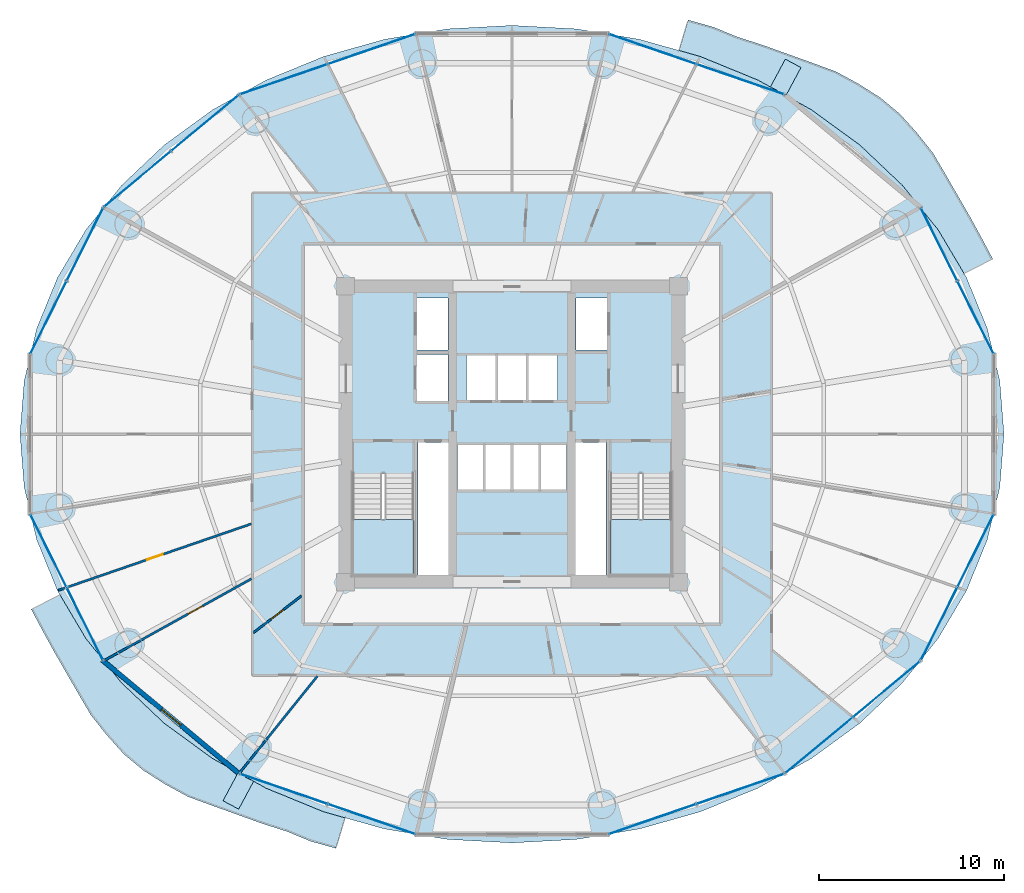
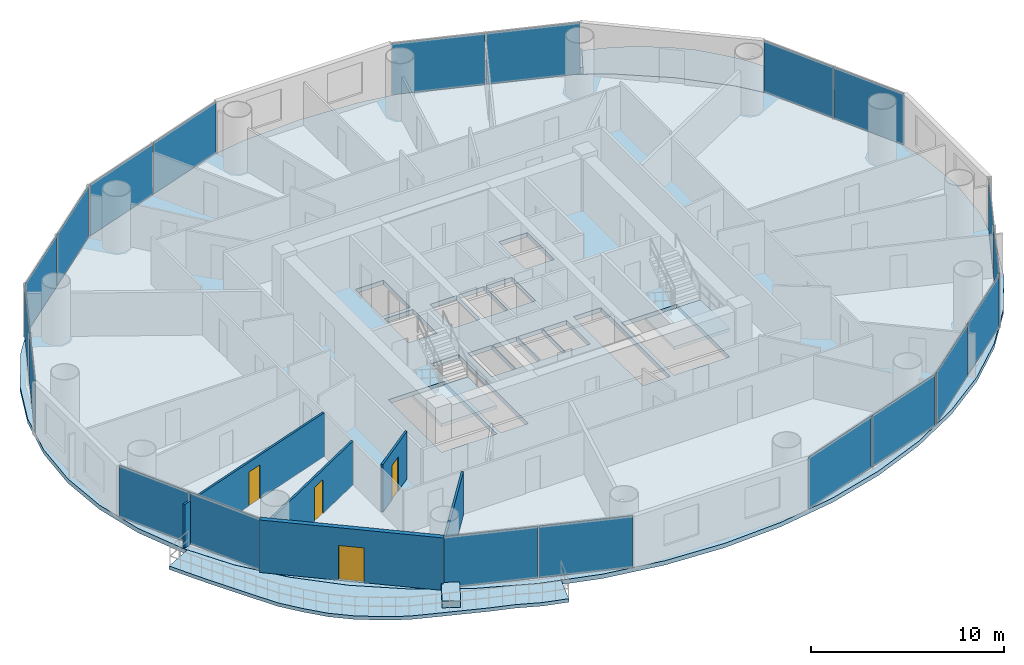
# One storey, part 21 of 29: 20 plates, 7 slabs, 5 walls, 4 doors, 4 openings, 12 elements without a shape of their own.
"""IFC4 building model written with IfcOpenShell, lengths in metres."""

from ifc_helpers import new_model, si_unit, direction, frame, frame_2d, origin, origin_2d, place, context, subcontext, project, spatial, polyline, rectangle, outline, extrude, source, transform, mapped, material, layer, layer_set, type_object, element, fill, aggregate, save


model = new_model("IFC4")

# Units and contexts
model_context = context("Model", 3, precision=1e-05, world=origin(), true_north=direction((-0.2419218956, 0.970295726276)))
body_context = subcontext(model_context, "Body", "Model", "MODEL_VIEW")
ifc_project = project(units=[si_unit("LENGTHUNIT", "METRE"), si_unit("AREAUNIT", "SQUARE_METRE"), si_unit("VOLUMEUNIT", "CUBIC_METRE"), si_unit("PLANEANGLEUNIT", "RADIAN"), si_unit("MASSUNIT", "GRAM", prefix="KILO")], contexts=[model_context])

# Site, building, storey
site_placement = place(None, origin())
site = spatial("IfcSite", under=ifc_project, at=site_placement, CompositionType="ELEMENT")
building_placement = place(site_placement, origin())
building = spatial("IfcBuilding", under=site, at=building_placement, Name="Cobrevalo Terracotta Tower", CompositionType="ELEMENT")
storey_placement = place(building_placement, frame((0.0, 0.0, 94.199951171875)))
storey = spatial("IfcBuildingStorey", under=building, at=storey_placement, Name="L24", CompositionType="ELEMENT", Elevation=94.199951171875)

# Stair, slab
ifc_material_1 = material(Name="Concrete C50", Category="concrete")
stair_type = type_object("IfcStairType", Name="Core protected escape dogleg stair 1600", PredefinedType="HALF_TURN_STAIR", material=ifc_material_1)
stair_1_placement = place(storey_placement, origin())
stair_1 = element("IfcStair", 1, at=stair_1_placement, inside=storey, type_object=stair_type, Name="L24 Protected exit stair ST-1", PredefinedType="HALF_TURN_STAIR")
ifc_layer_1 = layer(ifc_material_1, 0.199951171875)
ifc_layer_set_1 = layer_set([ifc_layer_1], Name="Concrete C50")
slab_type_1 = type_object("IfcSlabType", Name="Reinforced Concrete Stair Landing 200", PredefinedType="LANDING", material=ifc_layer_set_1)
slab_1_placement = place(storey_placement, frame((0.0, 0.0, 1.60009765625)))
slab_1 = element("IfcSlab", 2, at=slab_1_placement, type_object=slab_type_1, Name="ST-1 landing 1", PredefinedType="LANDING", context=body_context, shape_type="SweptSolid", body=[
    extrude(outline(polyline([(29.375, 22.179931640625), (29.375, 19.175048828125), (32.695068359375, 19.175048828125), (32.695068359375, 22.179931640625), (29.375, 22.179931640625)])), origin(), (0.0, 0.0, 1.0), 0.199951171875),
])
aggregate(stair_1, [slab_1])

stair_2_placement = place(storey_placement, origin())
stair_2 = element("IfcStair", 3, at=stair_2_placement, inside=storey, type_object=stair_type, Name="L24 Protected exit stair ST-2", PredefinedType="HALF_TURN_STAIR")
slab_2_placement = place(storey_placement, frame((0.0, 0.0, 1.60009765625)))
slab_2 = element("IfcSlab", 4, at=slab_2_placement, type_object=slab_type_1, Name="ST-2 landing 1", PredefinedType="LANDING", context=body_context, shape_type="SweptSolid", body=[
    extrude(outline(polyline([(43.304931640625, 22.179931640625), (43.304931640625, 19.175048828125), (46.625, 19.175048828125), (46.625, 22.179931640625), (43.304931640625, 22.179931640625)])), origin(), (0.0, 0.0, 1.0), 0.199951171875),
])
aggregate(stair_2, [slab_2])

# Slabs
ifc_material_2 = material(Name="Concrete C45", Category="concrete")
ifc_layer_2 = layer(ifc_material_2, 0.219970703125)
ifc_layer_set_2 = layer_set([ifc_layer_2], Name="Concrete C45")
slab_type_2 = type_object("IfcSlabType", Name="Spiralling cantilevered balcony lobe slab 220 mm", PredefinedType="FLOOR", material=ifc_layer_set_2)
slab_3_placement = place(storey_placement, frame((0.0, 0.0, -0.219970703125)))
element("IfcSlab", 5, at=slab_3_placement, inside=storey, type_object=slab_type_2, Name="L24 spiralling arc balcony slab lobe 1", PredefinedType="FLOOR", context=body_context, shape_type="SweptSolid", body=[
    extrude(outline(polyline([(63.99365234375, 36.265869140625), (63.393310546875, 37.398193359375), (62.776123046875, 38.525634765625), (62.122802734375, 39.657958984375), (61.455322265625, 40.81494140625), (60.768798828125, 41.986083984375), (59.913818359375, 43.063720703125), (58.9921875, 44.091552734375), (57.927001953125, 44.982177734375), (56.740966796875, 45.734130859375), (55.514404296875, 46.401611328125), (54.168701171875, 46.894775390625), (52.840576171875, 47.3720703125), (51.521728515625, 47.84619140625), (50.18017578125, 48.275634765625), (48.88671875, 48.809326171875), (47.523681640625, 49.191162109375), (47.029052734375, 47.544189453125), (48.18017578125, 47.219482421875), (51.301025390625, 45.94091796875), (54.1943359375, 44.334716796875), (56.810546875, 42.428466796875), (59.104736328125, 40.2548828125), (61.0380859375, 37.85107421875), (62.44970703125, 35.47265625), (63.99365234375, 36.265869140625)])), origin(), (0.0, 0.0, 1.0), 0.219970703125),
])
slab_4_placement = place(storey_placement, frame((0.0, 0.0, -0.219970703125)))
element("IfcSlab", 6, at=slab_4_placement, inside=storey, type_object=slab_type_2, Name="L24 spiralling arc balcony slab lobe 2", PredefinedType="FLOOR", context=body_context, shape_type="SweptSolid", body=[
    extrude(outline(polyline([(12.00634765625, 17.333984375), (12.606689453125, 16.20166015625), (13.223876953125, 15.074462890625), (13.877197265625, 13.942138671875), (14.544677734375, 12.784912109375), (15.231201171875, 11.61376953125), (16.086181640625, 10.5361328125), (17.0078125, 9.508544921875), (18.072998046875, 8.61767578125), (19.259033203125, 7.865966796875), (20.485595703125, 7.198486328125), (21.831298828125, 6.705322265625), (23.159423828125, 6.22802734375), (24.478271484375, 5.75390625), (25.81982421875, 5.324462890625), (27.11328125, 4.79052734375), (28.476318359375, 4.40869140625), (28.970947265625, 6.0556640625), (27.81982421875, 6.38037109375), (24.698974609375, 7.6591796875), (21.8056640625, 9.265380859375), (19.189453125, 11.171630859375), (16.895263671875, 13.34521484375), (14.9619140625, 15.7490234375), (13.55029296875, 18.12744140625), (12.00634765625, 17.333984375)])), origin(), (0.0, 0.0, 1.0), 0.219970703125),
])
ifc_material_3 = material(Name="Precast concrete C45", Category="concrete")
ifc_layer_3 = layer(ifc_material_3, 0.419921875)
ifc_layer_set_3 = layer_set([ifc_layer_3], Name="Precast concrete C45")
slab_type_3 = type_object("IfcSlabType", Name="Structural tree planter trough base 420 mm", PredefinedType="USERDEFINED", material=ifc_layer_set_3)
slab_5_placement = place(storey_placement, origin())
element("IfcSlab", 7, at=slab_5_placement, inside=storey, type_object=slab_type_3, Name="L24 structural tree planter trough 1", ObjectType="PLANTER", PredefinedType="USERDEFINED", context=body_context, shape_type="SweptSolid", body=[
    extrude(outline(polyline([(52.8203125, 45.122314453125), (53.623046875, 46.62109375), (52.776611328125, 47.07421875), (51.97412109375, 45.57568359375), (52.8203125, 45.122314453125)])), origin(), (0.0, 0.0, 1.0), 0.420166015625),
])
slab_6_placement = place(storey_placement, origin())
element("IfcSlab", 8, at=slab_6_placement, inside=storey, type_object=slab_type_3, Name="L24 structural tree planter trough 2", ObjectType="PLANTER", PredefinedType="USERDEFINED", context=body_context, shape_type="SweptSolid", body=[
    extrude(outline(polyline([(23.1796875, 8.4775390625), (22.376953125, 6.97900390625), (23.223388671875, 6.525634765625), (24.02587890625, 8.0244140625), (23.1796875, 8.4775390625)])), origin(), (0.0, 0.0, 1.0), 0.420166015625),
])
ifc_layer_4 = layer(ifc_material_1, 0.27490234375)
ifc_layer_set_4 = layer_set([ifc_layer_4], Name="Concrete C50")
slab_type_4 = type_object("IfcSlabType", Name="Zone Z2 elliptical floor plate 275 mm", PredefinedType="FLOOR", material=ifc_layer_set_4)
slab_7_placement = place(storey_placement, frame((0.0, 0.0, -0.27490234375)))
element("IfcSlab", 9, at=slab_7_placement, inside=storey, type_object=slab_type_4, Name="L24 indoor elliptical floor slab", PredefinedType="FLOOR", context=body_context, shape_type="SweptSolid", body=[
    extrude(outline(polyline([(64.372314453125, 23.915283203125), (63.693603515625, 21.080078125), (62.5751953125, 18.3427734375), (61.036376953125, 15.75), (59.103271484375, 13.346435546875), (56.80908203125, 11.1728515625), (54.193115234375, 9.266845703125), (51.300048828125, 7.660888671875), (48.179443359375, 6.38232421875), (44.884521484375, 5.453125), (41.471923828125, 4.88916015625), (38.0, 4.699951171875), (34.528076171875, 4.88916015625), (31.115478515625, 5.453125), (27.820556640625, 6.38232421875), (24.699951171875, 7.660888671875), (21.806884765625, 9.266845703125), (19.19091796875, 11.1728515625), (16.896728515625, 13.346435546875), (14.963623046875, 15.75), (13.4248046875, 18.3427734375), (12.306396484375, 21.080078125), (11.627685546875, 23.915283203125), (11.39990234375, 26.800048828125), (11.627685546875, 29.6845703125), (12.306396484375, 32.52001953125), (13.4248046875, 35.25732421875), (14.963623046875, 37.85009765625), (16.896728515625, 40.253662109375), (19.19091796875, 42.427001953125), (21.806884765625, 44.3330078125), (24.699951171875, 45.939208984375), (27.820556640625, 47.2177734375), (31.115478515625, 48.14697265625), (34.528076171875, 48.7109375), (38.0, 48.89990234375), (41.471923828125, 48.7109375), (44.884521484375, 48.14697265625), (48.179443359375, 47.2177734375), (51.300048828125, 45.939208984375), (54.193115234375, 44.3330078125), (56.80908203125, 42.427001953125), (59.103271484375, 40.253662109375), (61.036376953125, 37.85009765625), (62.5751953125, 35.25732421875), (63.693603515625, 32.52001953125), (64.372314453125, 29.6845703125), (64.60009765625, 26.800048828125), (64.372314453125, 23.915283203125)]), holes=[polyline([(32.695068359375, 19.175048828125), (32.695068359375, 24.659912109375), (29.375, 24.659912109375), (29.375, 19.175048828125), (32.695068359375, 19.175048828125)]), polyline([(34.574951171875, 19.175048828125), (34.574951171875, 26.360107421875), (32.919921875, 26.360107421875), (32.919921875, 19.175048828125), (34.574951171875, 19.175048828125)]), polyline([(36.47998046875, 23.800048828125), (36.47998046875, 26.25), (35.050048828125, 26.25), (35.050048828125, 23.800048828125), (36.47998046875, 23.800048828125)]), polyline([(37.9599609375, 23.800048828125), (37.9599609375, 26.25), (36.530029296875, 26.25), (36.530029296875, 23.800048828125), (37.9599609375, 23.800048828125)]), polyline([(37.1201171875, 28.60009765625), (37.1201171875, 31.050048828125), (35.550048828125, 31.050048828125), (35.550048828125, 28.60009765625), (37.1201171875, 28.60009765625)]), polyline([(34.550048828125, 28.60009765625), (34.550048828125, 31.10009765625), (32.85009765625, 31.10009765625), (32.85009765625, 28.60009765625), (34.550048828125, 28.60009765625)]), polyline([(34.550048828125, 31.35009765625), (34.550048828125, 34.14990234375), (32.85009765625, 34.14990234375), (32.85009765625, 31.35009765625), (34.550048828125, 31.35009765625)]), polyline([(46.625, 19.175048828125), (46.625, 24.659912109375), (43.304931640625, 24.659912109375), (43.304931640625, 19.175048828125), (46.625, 19.175048828125)]), polyline([(43.080078125, 19.175048828125), (43.080078125, 26.360107421875), (41.425048828125, 26.360107421875), (41.425048828125, 19.175048828125), (43.080078125, 19.175048828125)]), polyline([(39.469970703125, 23.800048828125), (39.469970703125, 26.25), (38.0400390625, 26.25), (38.0400390625, 23.800048828125), (39.469970703125, 23.800048828125)]), polyline([(40.949951171875, 23.800048828125), (40.949951171875, 26.25), (39.52001953125, 26.25), (39.52001953125, 23.800048828125), (40.949951171875, 23.800048828125)]), polyline([(38.780029296875, 28.60009765625), (38.780029296875, 31.050048828125), (37.219970703125, 31.050048828125), (37.219970703125, 28.60009765625), (38.780029296875, 28.60009765625)]), polyline([(40.449951171875, 28.60009765625), (40.449951171875, 31.050048828125), (38.8798828125, 31.050048828125), (38.8798828125, 28.60009765625), (40.449951171875, 28.60009765625)]), polyline([(43.14990234375, 31.35009765625), (43.14990234375, 34.14990234375), (41.449951171875, 34.14990234375), (41.449951171875, 31.35009765625), (43.14990234375, 31.35009765625)])]), origin(), (0.0, 0.0, 1.0), 0.27490234375),
])

# Curtain wall, plates
ifc_material_4 = material(Name="Anodized aluminium", Category="aluminium")
curtain_wall_type = type_object("IfcCurtainWallType", Name="Lower-tower unitised acoustic low-E curtain wall CW-U1", PredefinedType="NOTDEFINED", material=ifc_material_4)
curtain_wall_1_placement = place(storey_placement, origin())
curtain_wall_1 = element("IfcCurtainWall", 10, at=curtain_wall_1_placement, inside=storey, type_object=curtain_wall_type, Name="L24 curtain wall CW-L24-S03", PredefinedType="NOTDEFINED")
ifc_material_5 = material(Name="Solar-control low-E double glazing", Category="glass")
ifc_layer_5 = layer(ifc_material_5, 0.028076171875)
ifc_layer_set_5 = layer_set([ifc_layer_5], Name="Solar-control low-E double glazing")
plate_type = type_object("IfcPlateType", Name="Tower solar-control low-E vision glass panel 28 mm", PredefinedType="CURTAIN_PANEL", material=ifc_layer_set_5)
shared_shape_1 = source(origin(), body_context, "Body", "SweptSolid", [
    extrude(rectangle(XDim=4.944580078125, YDim=0.035888671875, at=origin_2d()), origin(), (0.0, 0.0, 1.0), 3.2451171875),
])
plate_1_placement = place(storey_placement, frame((50.34814453125, 45.98095703125, 0.0400390625), z_axis=(0.0, 0.0, 1.0), x_axis=(-0.945596395206, 0.325342062104, 0.0)))
plate_1 = element("IfcPlate", 11, at=plate_1_placement, type_object=plate_type, Name="CW-L24-S03 glazing panel B01", PredefinedType="CURTAIN_PANEL", context=body_context, shape_type="MappedRepresentation", body=[
    mapped(shared_shape_1, transform((0.0, 0.0, 0.0), scale=1.0)),
])
plate_2_placement = place(storey_placement, frame((45.596923828125, 47.615478515625, 0.0400390625), z_axis=(0.0, 0.0, 1.0), x_axis=(-0.945596395206, 0.325342062104, 0.0)))
plate_2 = element("IfcPlate", 12, at=plate_2_placement, type_object=plate_type, Name="CW-L24-S03 glazing panel B02", PredefinedType="CURTAIN_PANEL", context=body_context, shape_type="MappedRepresentation", body=[
    mapped(shared_shape_1, transform((0.0, 0.0, 0.0), scale=1.0)),
])
aggregate(curtain_wall_1, [plate_1, plate_2])

curtain_wall_2_placement = place(storey_placement, origin())
curtain_wall_2 = element("IfcCurtainWall", 13, at=curtain_wall_2_placement, inside=storey, type_object=curtain_wall_type, Name="L24 curtain wall CW-L24-S05", PredefinedType="NOTDEFINED")
plate_3_placement = place(storey_placement, frame((30.403076171875, 47.615478515625, 0.0400390625), z_axis=(0.0, 0.0, 1.0), x_axis=(-0.945596395206, -0.325342062104, 0.0)))
plate_3 = element("IfcPlate", 14, at=plate_3_placement, type_object=plate_type, Name="CW-L24-S05 glazing panel B01", PredefinedType="CURTAIN_PANEL", context=body_context, shape_type="MappedRepresentation", body=[
    mapped(shared_shape_1, transform((0.0, 0.0, 0.0), scale=1.0)),
])
plate_4_placement = place(storey_placement, frame((25.65185546875, 45.98095703125, 0.0400390625), z_axis=(0.0, 0.0, 1.0), x_axis=(-0.945596395206, -0.325342062104, 0.0)))
plate_4 = element("IfcPlate", 15, at=plate_4_placement, type_object=plate_type, Name="CW-L24-S05 glazing panel B02", PredefinedType="CURTAIN_PANEL", context=body_context, shape_type="MappedRepresentation", body=[
    mapped(shared_shape_1, transform((0.0, 0.0, 0.0), scale=1.0)),
])
aggregate(curtain_wall_2, [plate_3, plate_4])

curtain_wall_3_placement = place(storey_placement, origin())
curtain_wall_3 = element("IfcCurtainWall", 16, at=curtain_wall_3_placement, inside=storey, type_object=curtain_wall_type, Name="L24 curtain wall CW-L24-S11", PredefinedType="NOTDEFINED")
plate_5_placement = place(storey_placement, frame((25.65185546875, 7.619140625, 0.0400390625), z_axis=(0.0, 0.0, 1.0), x_axis=(0.945596395206, -0.325342062104, 0.0)))
plate_5 = element("IfcPlate", 17, at=plate_5_placement, type_object=plate_type, Name="CW-L24-S11 glazing panel B01", PredefinedType="CURTAIN_PANEL", context=body_context, shape_type="MappedRepresentation", body=[
    mapped(shared_shape_1, transform((0.0, 0.0, 0.0), scale=1.0)),
])
plate_6_placement = place(storey_placement, frame((30.403076171875, 5.984375, 0.0400390625), z_axis=(0.0, 0.0, 1.0), x_axis=(0.945596395206, -0.325342062104, 0.0)))
plate_6 = element("IfcPlate", 18, at=plate_6_placement, type_object=plate_type, Name="CW-L24-S11 glazing panel B02", PredefinedType="CURTAIN_PANEL", context=body_context, shape_type="MappedRepresentation", body=[
    mapped(shared_shape_1, transform((0.0, 0.0, 0.0), scale=1.0)),
])
aggregate(curtain_wall_3, [plate_5, plate_6])

curtain_wall_4_placement = place(storey_placement, origin())
curtain_wall_4 = element("IfcCurtainWall", 19, at=curtain_wall_4_placement, inside=storey, type_object=curtain_wall_type, Name="L24 curtain wall CW-L24-S13", PredefinedType="NOTDEFINED")
plate_7_placement = place(storey_placement, frame((45.596923828125, 5.984375, 0.0400390625), z_axis=(0.0, 0.0, 1.0), x_axis=(0.945596395206, 0.325342062104, 0.0)))
plate_7 = element("IfcPlate", 20, at=plate_7_placement, type_object=plate_type, Name="CW-L24-S13 glazing panel B01", PredefinedType="CURTAIN_PANEL", context=body_context, shape_type="MappedRepresentation", body=[
    mapped(shared_shape_1, transform((0.0, 0.0, 0.0), scale=1.0)),
])
plate_8_placement = place(storey_placement, frame((50.34814453125, 7.619140625, 0.0400390625), z_axis=(0.0, 0.0, 1.0), x_axis=(0.945596395206, 0.325342062104, 0.0)))
plate_8 = element("IfcPlate", 21, at=plate_8_placement, type_object=plate_type, Name="CW-L24-S13 glazing panel B02", PredefinedType="CURTAIN_PANEL", context=body_context, shape_type="MappedRepresentation", body=[
    mapped(shared_shape_1, transform((0.0, 0.0, 0.0), scale=1.0)),
])
aggregate(curtain_wall_4, [plate_7, plate_8])

curtain_wall_5_placement = place(storey_placement, origin())
curtain_wall_5 = element("IfcCurtainWall", 22, at=curtain_wall_5_placement, inside=storey, type_object=curtain_wall_type, Name="L24 curtain wall CW-L24-S06", PredefinedType="NOTDEFINED")
shared_shape_2 = source(origin(), body_context, "Body", "SweptSolid", [
    extrude(rectangle(XDim=4.64501953125, YDim=0.035888671875, at=origin_2d()), origin(), (0.0, 0.0, 1.0), 3.2451171875),
])
plate_9_placement = place(storey_placement, frame((21.390380859375, 43.615478515625, 0.0400390625), z_axis=(0.0, 0.0, 1.0), x_axis=(-0.769241221277, -0.638958483384, 0.0)))
plate_9 = element("IfcPlate", 23, at=plate_9_placement, type_object=plate_type, Name="CW-L24-S06 glazing panel B01", PredefinedType="CURTAIN_PANEL", context=body_context, shape_type="MappedRepresentation", body=[
    mapped(shared_shape_2, transform((0.0, 0.0, 0.0), scale=1.0)),
])
plate_10_placement = place(storey_placement, frame((17.755859375, 40.596435546875, 0.0400390625), z_axis=(0.0, 0.0, 1.0), x_axis=(-0.769241221277, -0.638958483384, 0.0)))
plate_10 = element("IfcPlate", 24, at=plate_10_placement, type_object=plate_type, Name="CW-L24-S06 glazing panel B02", PredefinedType="CURTAIN_PANEL", context=body_context, shape_type="MappedRepresentation", body=[
    mapped(shared_shape_2, transform((0.0, 0.0, 0.0), scale=1.0)),
])
aggregate(curtain_wall_5, [plate_9, plate_10])

curtain_wall_6_placement = place(storey_placement, origin())
curtain_wall_6 = element("IfcCurtainWall", 25, at=curtain_wall_6_placement, inside=storey, type_object=curtain_wall_type, Name="L24 curtain wall CW-L24-S14", PredefinedType="NOTDEFINED")
plate_11_placement = place(storey_placement, frame((54.609619140625, 9.984619140625, 0.0400390625), z_axis=(0.0, 0.0, 1.0), x_axis=(0.769241221277, 0.638958483384, 0.0)))
plate_11 = element("IfcPlate", 26, at=plate_11_placement, type_object=plate_type, Name="CW-L24-S14 glazing panel B01", PredefinedType="CURTAIN_PANEL", context=body_context, shape_type="MappedRepresentation", body=[
    mapped(shared_shape_2, transform((0.0, 0.0, 0.0), scale=1.0)),
])
plate_12_placement = place(storey_placement, frame((58.244140625, 13.00341796875, 0.0400390625), z_axis=(0.0, 0.0, 1.0), x_axis=(0.769241221277, 0.638958483384, 0.0)))
plate_12 = element("IfcPlate", 27, at=plate_12_placement, type_object=plate_type, Name="CW-L24-S14 glazing panel B02", PredefinedType="CURTAIN_PANEL", context=body_context, shape_type="MappedRepresentation", body=[
    mapped(shared_shape_2, transform((0.0, 0.0, 0.0), scale=1.0)),
])
aggregate(curtain_wall_6, [plate_11, plate_12])

curtain_wall_7_placement = place(storey_placement, origin())
curtain_wall_7 = element("IfcCurtainWall", 28, at=curtain_wall_7_placement, inside=storey, type_object=curtain_wall_type, Name="L24 curtain wall CW-L24-S01", PredefinedType="NOTDEFINED")
shared_shape_3 = source(origin(), body_context, "Body", "SweptSolid", [
    extrude(rectangle(XDim=4.3251953125, YDim=0.035888671875, at=origin_2d()), origin(), (0.0, 0.0, 1.0), 3.2451171875),
])
plate_13_placement = place(storey_placement, frame((63.05859375, 33.112548828125, 0.0400390625), z_axis=(0.0, 0.0, 1.0), x_axis=(-0.446261852127, 0.894902430065, 0.0)))
plate_13 = element("IfcPlate", 29, at=plate_13_placement, type_object=plate_type, Name="CW-L24-S01 glazing panel B01", PredefinedType="CURTAIN_PANEL", context=body_context, shape_type="MappedRepresentation", body=[
    mapped(shared_shape_3, transform((0.0, 0.0, 0.0), scale=1.0)),
])
plate_14_placement = place(storey_placement, frame((61.093017578125, 37.0546875, 0.0400390625), z_axis=(0.0, 0.0, 1.0), x_axis=(-0.446261852127, 0.894902430065, 0.0)))
plate_14 = element("IfcPlate", 30, at=plate_14_placement, type_object=plate_type, Name="CW-L24-S01 glazing panel B02", PredefinedType="CURTAIN_PANEL", context=body_context, shape_type="MappedRepresentation", body=[
    mapped(shared_shape_3, transform((0.0, 0.0, 0.0), scale=1.0)),
])
aggregate(curtain_wall_7, [plate_13, plate_14])

curtain_wall_8_placement = place(storey_placement, origin())
curtain_wall_8 = element("IfcCurtainWall", 31, at=curtain_wall_8_placement, inside=storey, type_object=curtain_wall_type, Name="L24 curtain wall CW-L24-S07", PredefinedType="NOTDEFINED")
plate_15_placement = place(storey_placement, frame((14.906982421875, 37.0546875, 0.0400390625), z_axis=(0.0, 0.0, 1.0), x_axis=(-0.446261852127, -0.894902430065, 0.0)))
plate_15 = element("IfcPlate", 32, at=plate_15_placement, type_object=plate_type, Name="CW-L24-S07 glazing panel B01", PredefinedType="CURTAIN_PANEL", context=body_context, shape_type="MappedRepresentation", body=[
    mapped(shared_shape_3, transform((0.0, 0.0, 0.0), scale=1.0)),
])
plate_16_placement = place(storey_placement, frame((12.94140625, 33.112548828125, 0.0400390625), z_axis=(0.0, 0.0, 1.0), x_axis=(-0.446261852127, -0.894902430065, 0.0)))
plate_16 = element("IfcPlate", 33, at=plate_16_placement, type_object=plate_type, Name="CW-L24-S07 glazing panel B02", PredefinedType="CURTAIN_PANEL", context=body_context, shape_type="MappedRepresentation", body=[
    mapped(shared_shape_3, transform((0.0, 0.0, 0.0), scale=1.0)),
])
aggregate(curtain_wall_8, [plate_15, plate_16])

curtain_wall_9_placement = place(storey_placement, origin())
curtain_wall_9 = element("IfcCurtainWall", 34, at=curtain_wall_9_placement, inside=storey, type_object=curtain_wall_type, Name="L24 curtain wall CW-L24-S09", PredefinedType="NOTDEFINED")
plate_17_placement = place(storey_placement, frame((12.94140625, 20.487548828125, 0.0400390625), z_axis=(0.0, 0.0, 1.0), x_axis=(0.446261852127, -0.894902430065, 0.0)))
plate_17 = element("IfcPlate", 35, at=plate_17_placement, type_object=plate_type, Name="CW-L24-S09 glazing panel B01", PredefinedType="CURTAIN_PANEL", context=body_context, shape_type="MappedRepresentation", body=[
    mapped(shared_shape_3, transform((0.0, 0.0, 0.0), scale=1.0)),
])
plate_18_placement = place(storey_placement, frame((14.906982421875, 16.54541015625, 0.0400390625), z_axis=(0.0, 0.0, 1.0), x_axis=(0.446261852127, -0.894902430065, 0.0)))
plate_18 = element("IfcPlate", 36, at=plate_18_placement, type_object=plate_type, Name="CW-L24-S09 glazing panel B02", PredefinedType="CURTAIN_PANEL", context=body_context, shape_type="MappedRepresentation", body=[
    mapped(shared_shape_3, transform((0.0, 0.0, 0.0), scale=1.0)),
])
aggregate(curtain_wall_9, [plate_17, plate_18])

curtain_wall_10_placement = place(storey_placement, origin())
curtain_wall_10 = element("IfcCurtainWall", 37, at=curtain_wall_10_placement, inside=storey, type_object=curtain_wall_type, Name="L24 curtain wall CW-L24-S15", PredefinedType="NOTDEFINED")
plate_19_placement = place(storey_placement, frame((61.093017578125, 16.54541015625, 0.0400390625), z_axis=(0.0, 0.0, 1.0), x_axis=(0.446261852127, 0.894902430065, 0.0)))
plate_19 = element("IfcPlate", 38, at=plate_19_placement, type_object=plate_type, Name="CW-L24-S15 glazing panel B01", PredefinedType="CURTAIN_PANEL", context=body_context, shape_type="MappedRepresentation", body=[
    mapped(shared_shape_3, transform((0.0, 0.0, 0.0), scale=1.0)),
])
plate_20_placement = place(storey_placement, frame((63.05859375, 20.487548828125, 0.0400390625), z_axis=(0.0, 0.0, 1.0), x_axis=(0.446261852127, 0.894902430065, 0.0)))
plate_20 = element("IfcPlate", 39, at=plate_20_placement, type_object=plate_type, Name="CW-L24-S15 glazing panel B02", PredefinedType="CURTAIN_PANEL", context=body_context, shape_type="MappedRepresentation", body=[
    mapped(shared_shape_3, transform((0.0, 0.0, 0.0), scale=1.0)),
])
aggregate(curtain_wall_10, [plate_19, plate_20])

# Wall, opening, door
ifc_material_6 = material(Name="Autoclaved aerated concrete block", Category="concrete")
ifc_layer_6 = layer(ifc_material_6, 0.260009765625)
ifc_layer_set_6 = layer_set([ifc_layer_6], Name="Autoclaved aerated concrete block")
wall_type_1 = type_object("IfcWallType", Name="Recessed balcony loggia insulated exterior wall 260 mm", PredefinedType="SOLIDWALL", material=ifc_layer_set_6)
wall_1_placement = place(storey_placement, frame((15.84619140625, 14.589599609375, 0.0), z_axis=(0.0, 0.0, 1.0), x_axis=(0.769254958887, -0.638941944333, 0.0)))
wall_1 = element("IfcWall", 40, at=wall_1_placement, inside=storey, type_object=wall_type_1, Name="L24 balcony loggia wall S10", PredefinedType="SOLIDWALL", context=body_context, shape_type="SweptSolid", body=[
    extrude(rectangle(XDim=9.689697265625, YDim=0.260009765625, at=frame_2d((4.8447265625, 0.0))), origin(), (0.0, 0.0, 1.0), 3.324951171875),
])
opening_1_placement = place(wall_1_placement, frame((4.169921875, 0.0, 0.0)))
opening_1 = element("IfcOpeningElement", 41, at=opening_1_placement, cuts=wall_1, Name="Opening ED-05", PredefinedType="OPENING", context=body_context, shape_type="SweptSolid", body=[
    extrude(rectangle(XDim=1.35009765625, YDim=2.199951171875, at=frame_2d((0.675048828125, 1.10009765625))), frame((0.0, 0.14013671875, 0.0), z_axis=(0.0, -1.0, 0.0), x_axis=(1.0, 0.0, 0.0)), (0.0, 0.0, 1.0), 0.280029296875),
])
ifc_material_7 = material(Name="Anodized aluminium and laminated glass", Category="aluminium")
door_type_1 = type_object("IfcDoorType", Name="Suite balcony acoustic glazed terrace door 1350x2200", OperationType="NOTDEFINED", PredefinedType="DOOR", material=ifc_material_7)
shared_shape_4 = source(origin(), body_context, "Body", "SweptSolid", [
    extrude(rectangle(XDim=1.35009765625, YDim=2.199951171875, at=frame_2d((0.675048828125, 1.10009765625))), frame((0.0, 0.02490234375, 0.0), z_axis=(0.0, -1.0, 0.0), x_axis=(1.0, 0.0, 0.0)), (0.0, 0.0, 1.0), 0.050048828125),
])
door_1_placement = place(opening_1_placement, frame((1.35009765625, 0.0, 0.0), z_axis=(0.0, 0.0, 1.0), x_axis=(-1.0, 0.0, 0.0)))
door_1 = element("IfcDoor", 42, at=door_1_placement, inside=storey, type_object=door_type_1, Name="L24 glazed balcony terrace door 2", OperationType="SINGLE_SWING_RIGHT", OverallHeight=2.199951171875, OverallWidth=1.35009765625, PredefinedType="DOOR", context=body_context, shape_type="MappedRepresentation", body=[
    mapped(shared_shape_4, transform((0.0, 0.0, 0.0), scale=1.0)),
])
fill(opening_1, door_1)

ifc_material_8 = material(Name="Gypsum board on steel stud", Category="steel")
ifc_layer_7 = layer(ifc_material_8, 0.1201171875)
ifc_layer_set_7 = layer_set([ifc_layer_7], Name="Gypsum board on steel stud")
wall_type_2 = type_object("IfcWallType", Name="Residential internal acoustic stud partition 120 mm", PredefinedType="PARTITIONING", material=ifc_layer_set_7)
wall_2_placement = place(storey_placement, frame((23.90625, 21.94970703125, 0.0), z_axis=(0.0, 0.0, 1.0), x_axis=(-0.945573120726, -0.32540970078, 0.0)))
wall_2 = element("IfcWall", 43, at=wall_2_placement, inside=storey, type_object=wall_type_2, Name="L24 interior partition IW-L24-U2-ORAD2M2", PredefinedType="PARTITIONING", context=body_context, shape_type="SweptSolid", body=[
    extrude(rectangle(XDim=11.02197265625, YDim=0.1201171875, at=frame_2d((5.510986328125, 0.0))), origin(), (0.0, 0.0, 1.0), 2.76708984375),
])
opening_2_placement = place(wall_2_placement, frame((5.06103515625, 0.0, 0.0)))
opening_2 = element("IfcOpeningElement", 44, at=opening_2_placement, cuts=wall_2, Name="Opening ID-12", PredefinedType="OPENING", context=body_context, shape_type="SweptSolid", body=[
    extrude(rectangle(XDim=0.89990234375, YDim=2.14990234375, at=frame_2d((0.449951171875, 1.074951171875))), frame((0.0, 0.070068359375, 0.0), z_axis=(0.0, -1.0, 0.0), x_axis=(1.0, 0.0, 0.0)), (0.0, 0.0, 1.0), 0.14013671875),
])
ifc_material_9 = material(Name="Engineered timber", Category="wood")
door_type_2 = type_object("IfcDoorType", Name="Internal residence & suite timber door 900x2150", OperationType="NOTDEFINED", PredefinedType="DOOR", material=ifc_material_9)
shared_shape_5 = source(origin(), body_context, "Body", "SweptSolid", [
    extrude(rectangle(XDim=0.89990234375, YDim=2.14990234375, at=frame_2d((0.449951171875, 1.074951171875))), frame((0.0, 0.02490234375, 0.0), z_axis=(0.0, -1.0, 0.0), x_axis=(1.0, 0.0, 0.0)), (0.0, 0.0, 1.0), 0.050048828125),
])
door_2_placement = place(opening_2_placement, frame((0.89990234375, 0.0, 0.0), z_axis=(0.0, 0.0, 1.0), x_axis=(-1.0, 0.0, 0.0)))
door_2 = element("IfcDoor", 45, at=door_2_placement, inside=storey, type_object=door_type_2, Name="Flat L24B Principal Guest Bedroom internal door", OperationType="SINGLE_SWING_LEFT", OverallHeight=2.14990234375, OverallWidth=0.89990234375, PredefinedType="DOOR", context=body_context, shape_type="MappedRepresentation", body=[
    mapped(shared_shape_5, transform((0.0, 0.0, 0.0), scale=1.0)),
])
fill(opening_2, door_2)

wall_3_placement = place(storey_placement, frame((23.910888671875, 18.978515625, 0.0), z_axis=(0.0, 0.0, 1.0), x_axis=(-0.874313476423, -0.485361664066, 0.0)))
wall_3 = element("IfcWall", 46, at=wall_3_placement, inside=storey, type_object=wall_type_2, Name="L24 interior partition IW-L24-U2-ORAD2", PredefinedType="PARTITIONING", context=body_context, shape_type="SweptSolid", body=[
    extrude(rectangle(XDim=9.065673828125, YDim=0.1201171875, at=frame_2d((4.53271484375, 0.0))), origin(), (0.0, 0.0, 1.0), 2.76708984375),
])
opening_3_placement = place(wall_3_placement, frame((3.015625, 0.0, 0.0)))
opening_3 = element("IfcOpeningElement", 47, at=opening_3_placement, cuts=wall_3, Name="Opening ID-12", PredefinedType="OPENING", context=body_context, shape_type="SweptSolid", body=[
    extrude(rectangle(XDim=0.89990234375, YDim=2.14990234375, at=frame_2d((0.449951171875, 1.074951171875))), frame((0.0, 0.070068359375, 0.0), z_axis=(0.0, -1.0, 0.0), x_axis=(1.0, 0.0, 0.0)), (0.0, 0.0, 1.0), 0.14013671875),
])
door_3_placement = place(opening_3_placement, frame((0.89990234375, 0.0, 0.0), z_axis=(0.0, 0.0, 1.0), x_axis=(-1.0, 0.0, 0.0)))
door_3 = element("IfcDoor", 48, at=door_3_placement, inside=storey, type_object=door_type_2, Name="Flat L24B North Bedroom internal door", OperationType="SINGLE_SWING_RIGHT", OverallHeight=2.14990234375, OverallWidth=0.89990234375, PredefinedType="DOOR", context=body_context, shape_type="MappedRepresentation", body=[
    mapped(shared_shape_5, transform((0.0, 0.0, 0.0), scale=1.0)),
])
fill(opening_3, door_3)

# Wall
wall_4_placement = place(storey_placement, frame((27.47802734375, 13.716796875, 0.0), z_axis=(0.0, 0.0, 1.0), x_axis=(-0.626707979732, -0.77925419995, 0.0)))
element("IfcWall", 49, at=wall_4_placement, inside=storey, type_object=wall_type_2, Name="L24 interior partition IW-L24-U2-ORAD3", PredefinedType="PARTITIONING", context=body_context, shape_type="SweptSolid", body=[
    extrude(rectangle(XDim=6.6787109375, YDim=0.1201171875, at=frame_2d((3.33935546875, 0.0))), origin(), (0.0, 0.0, 1.0), 2.76708984375),
])

# Wall, opening, door
wall_5_placement = place(storey_placement, frame((26.614990234375, 18.05615234375, 0.0), z_axis=(0.0, 0.0, 1.0), x_axis=(-0.79311360735, -0.609073727751, 0.0)))
wall_5 = element("IfcWall", 50, at=wall_5_placement, inside=storey, type_object=wall_type_2, Name="L24 interior partition IW-L24-U2-IRAD4", PredefinedType="PARTITIONING", context=body_context, shape_type="SweptSolid", body=[
    extrude(rectangle(XDim=3.279296875, YDim=0.1201171875, at=frame_2d((1.6396484375, 0.0))), origin(), (0.0, 0.0, 1.0), 3.004150390625),
])
opening_4_placement = place(wall_5_placement, frame((1.209716796875, 0.0, 0.0)))
opening_4 = element("IfcOpeningElement", 51, at=opening_4_placement, cuts=wall_5, Name="Opening ID-19", PredefinedType="OPENING", context=body_context, shape_type="SweptSolid", body=[
    extrude(rectangle(XDim=0.860107421875, YDim=2.14990234375, at=frame_2d((0.43017578125, 1.074951171875))), frame((0.0, 0.070068359375, 0.0), z_axis=(0.0, -1.0, 0.0), x_axis=(1.0, 0.0, 0.0)), (0.0, 0.0, 1.0), 0.14013671875),
])
ifc_material_10 = material(Name="Moisture-sealed timber", Category="wood")
door_type_3 = type_object("IfcDoorType", Name="Suite bathroom internal timber door 860x2150", OperationType="NOTDEFINED", PredefinedType="DOOR", material=ifc_material_10)
shared_shape_6 = source(origin(), body_context, "Body", "SweptSolid", [
    extrude(rectangle(XDim=0.860107421875, YDim=2.14990234375, at=frame_2d((0.43017578125, 1.074951171875))), frame((0.0, 0.02490234375, 0.0), z_axis=(0.0, -1.0, 0.0), x_axis=(1.0, 0.0, 0.0)), (0.0, 0.0, 1.0), 0.050048828125),
])
door_4_placement = place(opening_4_placement, frame((0.860107421875, 0.0, 0.0), z_axis=(0.0, 0.0, 1.0), x_axis=(-1.0, 0.0, 0.0)))
door_4 = element("IfcDoor", 52, at=door_4_placement, inside=storey, type_object=door_type_3, Name="Flat L24B Primary Bathroom internal door", OperationType="SINGLE_SWING_RIGHT", OverallHeight=2.14990234375, OverallWidth=0.860107421875, PredefinedType="DOOR", context=body_context, shape_type="MappedRepresentation", body=[
    mapped(shared_shape_6, transform((0.0, 0.0, 0.0), scale=1.0)),
])
fill(opening_4, door_4)

save(model, "model.ifc")
